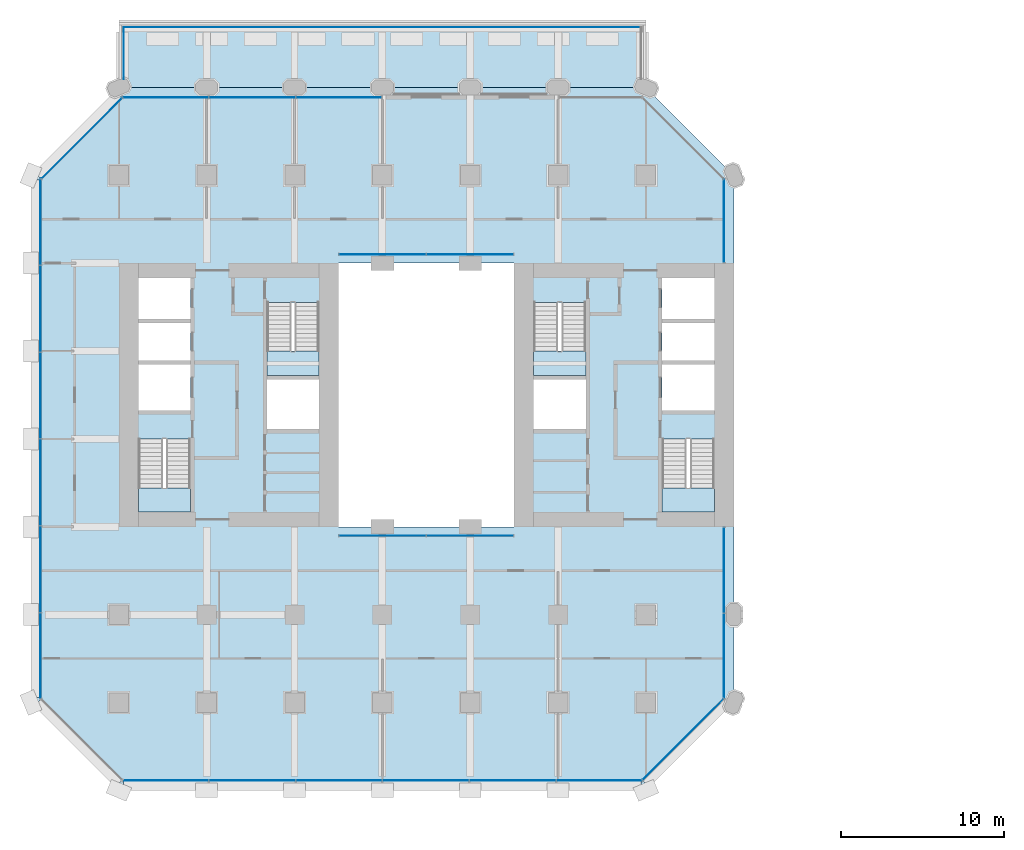
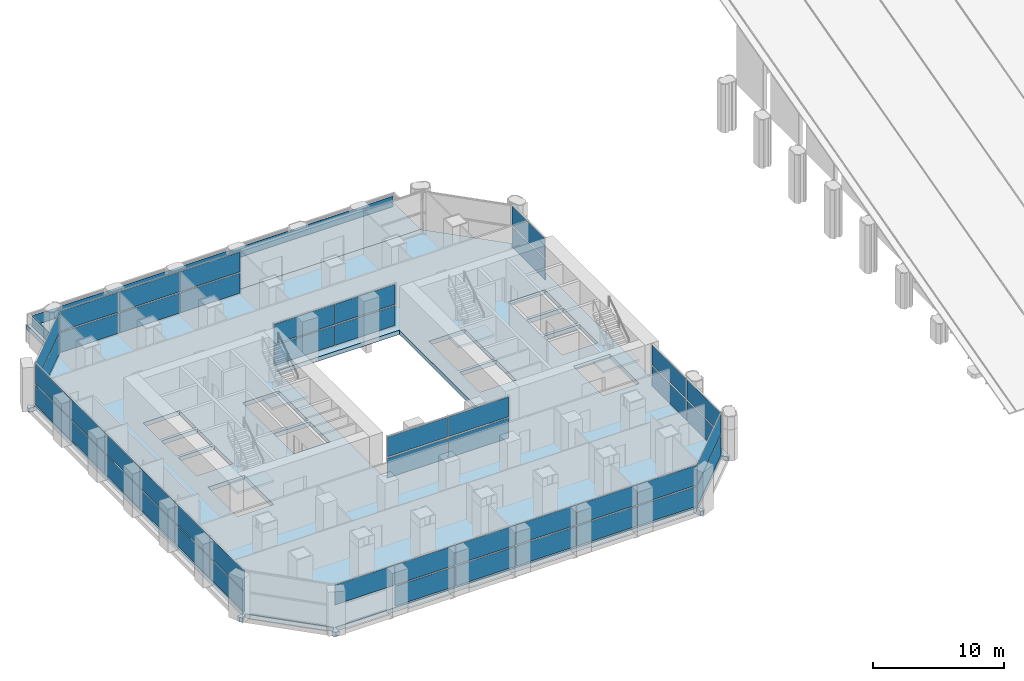
# One storey, part 11 of 23: 49 plates, 6 slabs, 13 elements without a shape of their own.
"""IFC4 building model written with IfcOpenShell, lengths in metres."""

from ifc_helpers import new_model, si_unit, direction, frame, frame_2d, origin, origin_2d, place, context, subcontext, project, spatial, polyline, rectangle, outline, extrude, material, layer, layer_set, type_object, element, aggregate, save


model = new_model("IFC4")

# Units and contexts
model_context = context("Model", 3, precision=1e-05, world=origin(), true_north=direction((0.0, 1.0)))
body_context = subcontext(model_context, "Body", "Model", "MODEL_VIEW")
ifc_project = project(units=[si_unit("LENGTHUNIT", "METRE"), si_unit("AREAUNIT", "SQUARE_METRE"), si_unit("VOLUMEUNIT", "CUBIC_METRE"), si_unit("PLANEANGLEUNIT", "RADIAN"), si_unit("MASSUNIT", "GRAM", prefix="KILO")], contexts=[model_context])

# Site, building, storey
site_placement = place(None, origin())
site = spatial("IfcSite", under=ifc_project, at=site_placement, CompositionType="ELEMENT")
building_placement = place(site_placement, origin())
building = spatial("IfcBuilding", under=site, at=building_placement, Name="Tabaq Tower and Sports Hall", CompositionType="ELEMENT")
storey_placement = place(building_placement, frame((0.0, 0.0, 24.60009765625)))
storey = spatial("IfcBuildingStorey", under=building, at=storey_placement, Name="L04", CompositionType="ELEMENT", Elevation=24.60009765625)

# Curtain wall, plates
ifc_material_1 = material(Name="Aluminium alloy 6063-T6 framed glazing", Category="aluminium")
curtain_wall_type_1 = type_object("IfcCurtainWallType", Name="CW1 curtain wall", PredefinedType="USERDEFINED", material=ifc_material_1)
curtain_wall_1_placement = place(storey_placement, origin())
curtain_wall_1 = element("IfcCurtainWall", 1, at=curtain_wall_1_placement, inside=storey, type_object=curtain_wall_type_1, Name="Atrium glazing L04 S", ObjectType="ATRIUM ENCLOSURE", PredefinedType="USERDEFINED")
ifc_material_2 = material(Name="Clear low-emissivity glass 28 mm", Category="glass")
ifc_layer_1 = layer(ifc_material_2, 0.028076171875)
ifc_layer_set_1 = layer_set([ifc_layer_1], Name="CW1 glass panel 28")
plate_type_1 = type_object("IfcPlateType", Name="CW1 glass panel 28", PredefinedType="CURTAIN_PANEL", material=ifc_layer_set_1)
plate_1_placement = place(storey_placement, frame((21.614990234375, 15.64990234375, 0.1396484375), z_axis=(0.0, 0.0, 1.0), x_axis=(1.0, 0.0, 0.0)))
plate_1 = element("IfcPlate", 2, at=plate_1_placement, type_object=plate_type_1, Name="CW1 panel 1.1", PredefinedType="CURTAIN_PANEL", context=body_context, shape_type="SweptSolid", body=[
    extrude(rectangle(XDim=5.31005859375, YDim=0.028076171875, at=origin_2d()), origin(), (0.0, 0.0, 1.0), 1.840087890625),
])
plate_2_placement = place(storey_placement, frame((21.614990234375, 15.64990234375, 2.11962890625), z_axis=(0.0, 0.0, 1.0), x_axis=(1.0, 0.0, 0.0)))
plate_2 = element("IfcPlate", 3, at=plate_2_placement, type_object=plate_type_1, Name="CW1 panel 1.2", PredefinedType="CURTAIN_PANEL", context=body_context, shape_type="SweptSolid", body=[
    extrude(rectangle(XDim=5.31005859375, YDim=0.028076171875, at=origin_2d()), origin(), (0.0, 0.0, 1.0), 1.840087890625),
])
plate_3_placement = place(storey_placement, frame((26.985107421875, 15.64990234375, 0.1396484375), z_axis=(0.0, 0.0, 1.0), x_axis=(1.0, 0.0, 0.0)))
plate_3 = element("IfcPlate", 4, at=plate_3_placement, type_object=plate_type_1, Name="CW1 panel 2.1", PredefinedType="CURTAIN_PANEL", context=body_context, shape_type="SweptSolid", body=[
    extrude(rectangle(XDim=5.31005859375, YDim=0.028076171875, at=origin_2d()), origin(), (0.0, 0.0, 1.0), 1.840087890625),
])
plate_4_placement = place(storey_placement, frame((26.985107421875, 15.64990234375, 2.11962890625), z_axis=(0.0, 0.0, 1.0), x_axis=(1.0, 0.0, 0.0)))
plate_4 = element("IfcPlate", 5, at=plate_4_placement, type_object=plate_type_1, Name="CW1 panel 2.2", PredefinedType="CURTAIN_PANEL", context=body_context, shape_type="SweptSolid", body=[
    extrude(rectangle(XDim=5.31005859375, YDim=0.028076171875, at=origin_2d()), origin(), (0.0, 0.0, 1.0), 1.840087890625),
])
aggregate(curtain_wall_1, [plate_1, plate_2, plate_3, plate_4])

curtain_wall_2_placement = place(storey_placement, origin())
curtain_wall_2 = element("IfcCurtainWall", 6, at=curtain_wall_2_placement, inside=storey, type_object=curtain_wall_type_1, Name="Atrium glazing L04 N", ObjectType="ATRIUM ENCLOSURE", PredefinedType="USERDEFINED")
plate_5_placement = place(storey_placement, frame((21.614990234375, 32.949951171875, 0.1396484375), z_axis=(0.0, 0.0, 1.0), x_axis=(1.0, 0.0, 0.0)))
plate_5 = element("IfcPlate", 7, at=plate_5_placement, type_object=plate_type_1, Name="CW1 panel 1.1", PredefinedType="CURTAIN_PANEL", context=body_context, shape_type="SweptSolid", body=[
    extrude(rectangle(XDim=5.31005859375, YDim=0.028076171875, at=origin_2d()), origin(), (0.0, 0.0, 1.0), 1.840087890625),
])
plate_6_placement = place(storey_placement, frame((21.614990234375, 32.949951171875, 2.11962890625), z_axis=(0.0, 0.0, 1.0), x_axis=(1.0, 0.0, 0.0)))
plate_6 = element("IfcPlate", 8, at=plate_6_placement, type_object=plate_type_1, Name="CW1 panel 1.2", PredefinedType="CURTAIN_PANEL", context=body_context, shape_type="SweptSolid", body=[
    extrude(rectangle(XDim=5.31005859375, YDim=0.028076171875, at=origin_2d()), origin(), (0.0, 0.0, 1.0), 1.840087890625),
])
plate_7_placement = place(storey_placement, frame((26.985107421875, 32.949951171875, 0.1396484375), z_axis=(0.0, 0.0, 1.0), x_axis=(1.0, 0.0, 0.0)))
plate_7 = element("IfcPlate", 9, at=plate_7_placement, type_object=plate_type_1, Name="CW1 panel 2.1", PredefinedType="CURTAIN_PANEL", context=body_context, shape_type="SweptSolid", body=[
    extrude(rectangle(XDim=5.31005859375, YDim=0.028076171875, at=origin_2d()), origin(), (0.0, 0.0, 1.0), 1.840087890625),
])
plate_8_placement = place(storey_placement, frame((26.985107421875, 32.949951171875, 2.11962890625), z_axis=(0.0, 0.0, 1.0), x_axis=(1.0, 0.0, 0.0)))
plate_8 = element("IfcPlate", 10, at=plate_8_placement, type_object=plate_type_1, Name="CW1 panel 2.2", PredefinedType="CURTAIN_PANEL", context=body_context, shape_type="SweptSolid", body=[
    extrude(rectangle(XDim=5.31005859375, YDim=0.028076171875, at=origin_2d()), origin(), (0.0, 0.0, 1.0), 1.840087890625),
])
aggregate(curtain_wall_2, [plate_5, plate_6, plate_7, plate_8])

ifc_material_3 = material(Name="Aluminium alloy 6063-T6 framed glazing", Category="aluminium")
curtain_wall_type_2 = type_object("IfcCurtainWallType", Name="CW7 curtain wall", PredefinedType="USERDEFINED", material=ifc_material_3)
curtain_wall_3_placement = place(storey_placement, origin())
curtain_wall_3 = element("IfcCurtainWall", 11, at=curtain_wall_3_placement, inside=storey, type_object=curtain_wall_type_2, Name="Podium Wall L04 S", ObjectType="PODIUM WALL", PredefinedType="USERDEFINED")
ifc_material_4 = material(Name="Clear low-emissivity glass 28 mm", Category="glass")
ifc_layer_2 = layer(ifc_material_4, 0.030029296875)
ifc_layer_set_2 = layer_set([ifc_layer_2], Name="CW7 glass panel 30")
plate_type_2 = type_object("IfcPlateType", Name="CW7 glass panel 30", PredefinedType="CURTAIN_PANEL", material=ifc_layer_set_2)
plate_9_placement = place(storey_placement, frame((8.271484375, 0.60009765625, 2.11962890625), z_axis=(0.0, 0.0, 1.0), x_axis=(1.0, 0.0, 0.0)))
plate_9 = element("IfcPlate", 12, at=plate_9_placement, type_object=plate_type_2, Name="CW7 panel 1.2", PredefinedType="CURTAIN_PANEL", context=body_context, shape_type="SweptSolid", body=[
    extrude(rectangle(XDim=5.240478515625, YDim=0.030029296875, at=origin_2d()), origin(), (0.0, 0.0, 1.0), 1.840087890625),
])
plate_10_placement = place(storey_placement, frame((13.59326171875, 0.60009765625, 0.1396484375), z_axis=(0.0, 0.0, 1.0), x_axis=(1.0, 0.0, 0.0)))
plate_10 = element("IfcPlate", 13, at=plate_10_placement, type_object=plate_type_2, Name="CW7 panel 2.1", PredefinedType="CURTAIN_PANEL", context=body_context, shape_type="SweptSolid", body=[
    extrude(rectangle(XDim=5.27294921875, YDim=0.030029296875, at=origin_2d()), origin(), (0.0, 0.0, 1.0), 1.840087890625),
])
plate_11_placement = place(storey_placement, frame((13.59326171875, 0.60009765625, 2.11962890625), z_axis=(0.0, 0.0, 1.0), x_axis=(1.0, 0.0, 0.0)))
plate_11 = element("IfcPlate", 14, at=plate_11_placement, type_object=plate_type_2, Name="CW7 panel 2.2", PredefinedType="CURTAIN_PANEL", context=body_context, shape_type="SweptSolid", body=[
    extrude(rectangle(XDim=5.27294921875, YDim=0.030029296875, at=origin_2d()), origin(), (0.0, 0.0, 1.0), 1.840087890625),
])
plate_12_placement = place(storey_placement, frame((18.93115234375, 0.60009765625, 0.1396484375), z_axis=(0.0, 0.0, 1.0), x_axis=(1.0, 0.0, 0.0)))
plate_12 = element("IfcPlate", 15, at=plate_12_placement, type_object=plate_type_2, Name="CW7 panel 3.1", PredefinedType="CURTAIN_PANEL", context=body_context, shape_type="SweptSolid", body=[
    extrude(rectangle(XDim=5.27294921875, YDim=0.030029296875, at=origin_2d()), origin(), (0.0, 0.0, 1.0), 1.840087890625),
])
plate_13_placement = place(storey_placement, frame((18.93115234375, 0.60009765625, 2.11962890625), z_axis=(0.0, 0.0, 1.0), x_axis=(1.0, 0.0, 0.0)))
plate_13 = element("IfcPlate", 16, at=plate_13_placement, type_object=plate_type_2, Name="CW7 panel 3.2", PredefinedType="CURTAIN_PANEL", context=body_context, shape_type="SweptSolid", body=[
    extrude(rectangle(XDim=5.27294921875, YDim=0.030029296875, at=origin_2d()), origin(), (0.0, 0.0, 1.0), 1.840087890625),
])
plate_14_placement = place(storey_placement, frame((24.26904296875, 0.60009765625, 0.1396484375), z_axis=(0.0, 0.0, 1.0), x_axis=(1.0, 0.0, 0.0)))
plate_14 = element("IfcPlate", 17, at=plate_14_placement, type_object=plate_type_2, Name="CW7 panel 4.1", PredefinedType="CURTAIN_PANEL", context=body_context, shape_type="SweptSolid", body=[
    extrude(rectangle(XDim=5.27294921875, YDim=0.030029296875, at=origin_2d()), origin(), (0.0, 0.0, 1.0), 1.840087890625),
])
plate_15_placement = place(storey_placement, frame((24.26904296875, 0.60009765625, 2.11962890625), z_axis=(0.0, 0.0, 1.0), x_axis=(1.0, 0.0, 0.0)))
plate_15 = element("IfcPlate", 18, at=plate_15_placement, type_object=plate_type_2, Name="CW7 panel 4.2", PredefinedType="CURTAIN_PANEL", context=body_context, shape_type="SweptSolid", body=[
    extrude(rectangle(XDim=5.27294921875, YDim=0.030029296875, at=origin_2d()), origin(), (0.0, 0.0, 1.0), 1.840087890625),
])
plate_16_placement = place(storey_placement, frame((29.606689453125, 0.60009765625, 0.1396484375), z_axis=(0.0, 0.0, 1.0), x_axis=(1.0, 0.0, 0.0)))
plate_16 = element("IfcPlate", 19, at=plate_16_placement, type_object=plate_type_2, Name="CW7 panel 5.1", PredefinedType="CURTAIN_PANEL", context=body_context, shape_type="SweptSolid", body=[
    extrude(rectangle(XDim=5.27294921875, YDim=0.030029296875, at=origin_2d()), origin(), (0.0, 0.0, 1.0), 1.840087890625),
])
plate_17_placement = place(storey_placement, frame((29.606689453125, 0.60009765625, 2.11962890625), z_axis=(0.0, 0.0, 1.0), x_axis=(1.0, 0.0, 0.0)))
plate_17 = element("IfcPlate", 20, at=plate_17_placement, type_object=plate_type_2, Name="CW7 panel 5.2", PredefinedType="CURTAIN_PANEL", context=body_context, shape_type="SweptSolid", body=[
    extrude(rectangle(XDim=5.27294921875, YDim=0.030029296875, at=origin_2d()), origin(), (0.0, 0.0, 1.0), 1.840087890625),
])
plate_18_placement = place(storey_placement, frame((34.928466796875, 0.60009765625, 0.1396484375), z_axis=(0.0, 0.0, 1.0), x_axis=(1.0, 0.0, 0.0)))
plate_18 = element("IfcPlate", 21, at=plate_18_placement, type_object=plate_type_2, Name="CW7 panel 6.1", PredefinedType="CURTAIN_PANEL", context=body_context, shape_type="SweptSolid", body=[
    extrude(rectangle(XDim=5.240478515625, YDim=0.030029296875, at=origin_2d()), origin(), (0.0, 0.0, 1.0), 1.840087890625),
])
plate_19_placement = place(storey_placement, frame((34.928466796875, 0.60009765625, 2.11962890625), z_axis=(0.0, 0.0, 1.0), x_axis=(1.0, 0.0, 0.0)))
plate_19 = element("IfcPlate", 22, at=plate_19_placement, type_object=plate_type_2, Name="CW7 panel 6.2", PredefinedType="CURTAIN_PANEL", context=body_context, shape_type="SweptSolid", body=[
    extrude(rectangle(XDim=5.240478515625, YDim=0.030029296875, at=origin_2d()), origin(), (0.0, 0.0, 1.0), 1.840087890625),
])
aggregate(curtain_wall_3, [plate_9, plate_10, plate_11, plate_12, plate_13, plate_14, plate_15, plate_16, plate_17, plate_18, plate_19])

curtain_wall_4_placement = place(storey_placement, origin())
curtain_wall_4 = element("IfcCurtainWall", 23, at=curtain_wall_4_placement, inside=storey, type_object=curtain_wall_type_2, Name="Podium Wall L04 SE", ObjectType="PODIUM WALL", PredefinedType="USERDEFINED")
plate_20_placement = place(storey_placement, frame((40.07568359375, 3.124267578125, 0.1396484375), z_axis=(0.0, 0.0, 1.0), x_axis=(0.707106781187, 0.707106781187, 0.0)))
plate_20 = element("IfcPlate", 24, at=plate_20_placement, type_object=plate_type_2, Name="CW7 panel 1.1", PredefinedType="CURTAIN_PANEL", context=body_context, shape_type="SweptSolid", body=[
    extrude(rectangle(XDim=7.009765625, YDim=0.030029296875, at=origin_2d()), origin(), (0.0, 0.0, 1.0), 1.840087890625),
])
plate_21_placement = place(storey_placement, frame((40.07568359375, 3.124267578125, 2.11962890625), z_axis=(0.0, 0.0, 1.0), x_axis=(0.707106781187, 0.707106781187, 0.0)))
plate_21 = element("IfcPlate", 25, at=plate_21_placement, type_object=plate_type_2, Name="CW7 panel 1.2", PredefinedType="CURTAIN_PANEL", context=body_context, shape_type="SweptSolid", body=[
    extrude(rectangle(XDim=7.009765625, YDim=0.030029296875, at=origin_2d()), origin(), (0.0, 0.0, 1.0), 1.840087890625),
])
aggregate(curtain_wall_4, [plate_20, plate_21])

curtain_wall_5_placement = place(storey_placement, origin())
curtain_wall_5 = element("IfcCurtainWall", 26, at=curtain_wall_5_placement, inside=storey, type_object=curtain_wall_type_2, Name="Podium Wall L04 E", ObjectType="PODIUM WALL", PredefinedType="USERDEFINED")
plate_22_placement = place(storey_placement, frame((42.60009765625, 8.256103515625, 0.1396484375), z_axis=(0.0, 0.0, 1.0), x_axis=(0.0, 1.0, 0.0)))
plate_22 = element("IfcPlate", 27, at=plate_22_placement, type_object=plate_type_2, Name="CW7 panel 1.1", PredefinedType="CURTAIN_PANEL", context=body_context, shape_type="SweptSolid", body=[
    extrude(rectangle(XDim=5.209228515625, YDim=0.030029296875, at=origin_2d()), origin(), (0.0, 0.0, 1.0), 1.840087890625),
])
plate_23_placement = place(storey_placement, frame((42.60009765625, 8.256103515625, 2.11962890625), z_axis=(0.0, 0.0, 1.0), x_axis=(0.0, 1.0, 0.0)))
plate_23 = element("IfcPlate", 28, at=plate_23_placement, type_object=plate_type_2, Name="CW7 panel 1.2", PredefinedType="CURTAIN_PANEL", context=body_context, shape_type="SweptSolid", body=[
    extrude(rectangle(XDim=5.209228515625, YDim=0.030029296875, at=origin_2d()), origin(), (0.0, 0.0, 1.0), 1.840087890625),
])
plate_24_placement = place(storey_placement, frame((42.60009765625, 13.5302734375, 0.1396484375), z_axis=(0.0, 0.0, 1.0), x_axis=(0.0, 1.0, 0.0)))
plate_24 = element("IfcPlate", 29, at=plate_24_placement, type_object=plate_type_2, Name="CW7 panel 2.1", PredefinedType="CURTAIN_PANEL", context=body_context, shape_type="SweptSolid", body=[
    extrude(rectangle(XDim=5.209228515625, YDim=0.030029296875, at=origin_2d()), origin(), (0.0, 0.0, 1.0), 1.840087890625),
])
plate_25_placement = place(storey_placement, frame((42.60009765625, 13.5302734375, 2.11962890625), z_axis=(0.0, 0.0, 1.0), x_axis=(0.0, 1.0, 0.0)))
plate_25 = element("IfcPlate", 30, at=plate_25_placement, type_object=plate_type_2, Name="CW7 panel 2.2", PredefinedType="CURTAIN_PANEL", context=body_context, shape_type="SweptSolid", body=[
    extrude(rectangle(XDim=5.209228515625, YDim=0.030029296875, at=origin_2d()), origin(), (0.0, 0.0, 1.0), 1.840087890625),
])
aggregate(curtain_wall_5, [plate_22, plate_23, plate_24, plate_25])

curtain_wall_6_placement = place(storey_placement, origin())
curtain_wall_6 = element("IfcCurtainWall", 31, at=curtain_wall_6_placement, inside=storey, type_object=curtain_wall_type_2, Name="Podium Wall L04 E", ObjectType="PODIUM WALL", PredefinedType="USERDEFINED")
plate_26_placement = place(storey_placement, frame((42.60009765625, 35.0068359375, 0.1396484375), z_axis=(0.0, 0.0, 1.0), x_axis=(0.0, 1.0, 0.0)))
plate_26 = element("IfcPlate", 32, at=plate_26_placement, type_object=plate_type_2, Name="CW7 panel 1.1", PredefinedType="CURTAIN_PANEL", context=body_context, shape_type="SweptSolid", body=[
    extrude(rectangle(XDim=5.08349609375, YDim=0.030029296875, at=origin_2d()), origin(), (0.0, 0.0, 1.0), 1.840087890625),
])
plate_27_placement = place(storey_placement, frame((42.60009765625, 35.0068359375, 2.11962890625), z_axis=(0.0, 0.0, 1.0), x_axis=(0.0, 1.0, 0.0)))
plate_27 = element("IfcPlate", 33, at=plate_27_placement, type_object=plate_type_2, Name="CW7 panel 1.2", PredefinedType="CURTAIN_PANEL", context=body_context, shape_type="SweptSolid", body=[
    extrude(rectangle(XDim=5.08349609375, YDim=0.030029296875, at=origin_2d()), origin(), (0.0, 0.0, 1.0), 1.840087890625),
])
aggregate(curtain_wall_6, [plate_26, plate_27])

curtain_wall_7_placement = place(storey_placement, origin())
curtain_wall_7 = element("IfcCurtainWall", 34, at=curtain_wall_7_placement, inside=storey, type_object=curtain_wall_type_2, Name="Podium Wall L04 N", ObjectType="PODIUM WALL", PredefinedType="USERDEFINED")
plate_28_placement = place(storey_placement, frame((18.914794921875, 42.60009765625, 0.1396484375), z_axis=(0.0, 0.0, 1.0), x_axis=(-1.0, 0.0, 0.0)))
plate_28 = element("IfcPlate", 35, at=plate_28_placement, type_object=plate_type_2, Name="CW7 panel 1.1", PredefinedType="CURTAIN_PANEL", context=body_context, shape_type="SweptSolid", body=[
    extrude(rectangle(XDim=5.240478515625, YDim=0.030029296875, at=origin_2d()), origin(), (0.0, 0.0, 1.0), 1.840087890625),
])
plate_29_placement = place(storey_placement, frame((18.914794921875, 42.60009765625, 2.11962890625), z_axis=(0.0, 0.0, 1.0), x_axis=(-1.0, 0.0, 0.0)))
plate_29 = element("IfcPlate", 36, at=plate_29_placement, type_object=plate_type_2, Name="CW7 panel 1.2", PredefinedType="CURTAIN_PANEL", context=body_context, shape_type="SweptSolid", body=[
    extrude(rectangle(XDim=5.240478515625, YDim=0.030029296875, at=origin_2d()), origin(), (0.0, 0.0, 1.0), 1.840087890625),
])
plate_30_placement = place(storey_placement, frame((13.59326171875, 42.60009765625, 0.1396484375), z_axis=(0.0, 0.0, 1.0), x_axis=(-1.0, 0.0, 0.0)))
plate_30 = element("IfcPlate", 37, at=plate_30_placement, type_object=plate_type_2, Name="CW7 panel 2.1", PredefinedType="CURTAIN_PANEL", context=body_context, shape_type="SweptSolid", body=[
    extrude(rectangle(XDim=5.27294921875, YDim=0.030029296875, at=origin_2d()), origin(), (0.0, 0.0, 1.0), 1.840087890625),
])
plate_31_placement = place(storey_placement, frame((13.59326171875, 42.60009765625, 2.11962890625), z_axis=(0.0, 0.0, 1.0), x_axis=(-1.0, 0.0, 0.0)))
plate_31 = element("IfcPlate", 38, at=plate_31_placement, type_object=plate_type_2, Name="CW7 panel 2.2", PredefinedType="CURTAIN_PANEL", context=body_context, shape_type="SweptSolid", body=[
    extrude(rectangle(XDim=5.27294921875, YDim=0.030029296875, at=origin_2d()), origin(), (0.0, 0.0, 1.0), 1.840087890625),
])
plate_32_placement = place(storey_placement, frame((8.271484375, 42.60009765625, 0.1396484375), z_axis=(0.0, 0.0, 1.0), x_axis=(-1.0, 0.0, 0.0)))
plate_32 = element("IfcPlate", 39, at=plate_32_placement, type_object=plate_type_2, Name="CW7 panel 3.1", PredefinedType="CURTAIN_PANEL", context=body_context, shape_type="SweptSolid", body=[
    extrude(rectangle(XDim=5.240478515625, YDim=0.030029296875, at=origin_2d()), origin(), (0.0, 0.0, 1.0), 1.840087890625),
])
plate_33_placement = place(storey_placement, frame((8.271484375, 42.60009765625, 2.11962890625), z_axis=(0.0, 0.0, 1.0), x_axis=(-1.0, 0.0, 0.0)))
plate_33 = element("IfcPlate", 40, at=plate_33_placement, type_object=plate_type_2, Name="CW7 panel 3.2", PredefinedType="CURTAIN_PANEL", context=body_context, shape_type="SweptSolid", body=[
    extrude(rectangle(XDim=5.240478515625, YDim=0.030029296875, at=origin_2d()), origin(), (0.0, 0.0, 1.0), 1.840087890625),
])
aggregate(curtain_wall_7, [plate_28, plate_29, plate_30, plate_31, plate_32, plate_33])

curtain_wall_8_placement = place(storey_placement, origin())
curtain_wall_8 = element("IfcCurtainWall", 41, at=curtain_wall_8_placement, inside=storey, type_object=curtain_wall_type_2, Name="Podium Wall L04 NW", ObjectType="PODIUM WALL", PredefinedType="USERDEFINED")
plate_34_placement = place(storey_placement, frame((3.124267578125, 40.07568359375, 0.1396484375), z_axis=(0.0, 0.0, 1.0), x_axis=(-0.707106781187, -0.707106781187, 0.0)))
plate_34 = element("IfcPlate", 42, at=plate_34_placement, type_object=plate_type_2, Name="CW7 panel 1.1", PredefinedType="CURTAIN_PANEL", context=body_context, shape_type="SweptSolid", body=[
    extrude(rectangle(XDim=7.009765625, YDim=0.030029296875, at=origin_2d()), origin(), (0.0, 0.0, 1.0), 1.840087890625),
])
plate_35_placement = place(storey_placement, frame((3.124267578125, 40.07568359375, 2.11962890625), z_axis=(0.0, 0.0, 1.0), x_axis=(-0.707106781187, -0.707106781187, 0.0)))
plate_35 = element("IfcPlate", 43, at=plate_35_placement, type_object=plate_type_2, Name="CW7 panel 1.2", PredefinedType="CURTAIN_PANEL", context=body_context, shape_type="SweptSolid", body=[
    extrude(rectangle(XDim=7.009765625, YDim=0.030029296875, at=origin_2d()), origin(), (0.0, 0.0, 1.0), 1.840087890625),
])
aggregate(curtain_wall_8, [plate_34, plate_35])

curtain_wall_9_placement = place(storey_placement, origin())
curtain_wall_9 = element("IfcCurtainWall", 44, at=curtain_wall_9_placement, inside=storey, type_object=curtain_wall_type_2, Name="Podium Wall L04 W", ObjectType="PODIUM WALL", PredefinedType="USERDEFINED")
plate_36_placement = place(storey_placement, frame((0.60009765625, 34.928466796875, 0.1396484375), z_axis=(0.0, 0.0, 1.0), x_axis=(0.0, -1.0, 0.0)))
plate_36 = element("IfcPlate", 45, at=plate_36_placement, type_object=plate_type_2, Name="CW7 panel 1.1", PredefinedType="CURTAIN_PANEL", context=body_context, shape_type="SweptSolid", body=[
    extrude(rectangle(XDim=5.240478515625, YDim=0.030029296875, at=origin_2d()), origin(), (0.0, 0.0, 1.0), 1.840087890625),
])
plate_37_placement = place(storey_placement, frame((0.60009765625, 34.928466796875, 2.11962890625), z_axis=(0.0, 0.0, 1.0), x_axis=(0.0, -1.0, 0.0)))
plate_37 = element("IfcPlate", 46, at=plate_37_placement, type_object=plate_type_2, Name="CW7 panel 1.2", PredefinedType="CURTAIN_PANEL", context=body_context, shape_type="SweptSolid", body=[
    extrude(rectangle(XDim=5.240478515625, YDim=0.030029296875, at=origin_2d()), origin(), (0.0, 0.0, 1.0), 1.840087890625),
])
plate_38_placement = place(storey_placement, frame((0.60009765625, 29.606689453125, 0.1396484375), z_axis=(0.0, 0.0, 1.0), x_axis=(0.0, -1.0, 0.0)))
plate_38 = element("IfcPlate", 47, at=plate_38_placement, type_object=plate_type_2, Name="CW7 panel 2.1", PredefinedType="CURTAIN_PANEL", context=body_context, shape_type="SweptSolid", body=[
    extrude(rectangle(XDim=5.27294921875, YDim=0.030029296875, at=origin_2d()), origin(), (0.0, 0.0, 1.0), 1.840087890625),
])
plate_39_placement = place(storey_placement, frame((0.60009765625, 29.606689453125, 2.11962890625), z_axis=(0.0, 0.0, 1.0), x_axis=(0.0, -1.0, 0.0)))
plate_39 = element("IfcPlate", 48, at=plate_39_placement, type_object=plate_type_2, Name="CW7 panel 2.2", PredefinedType="CURTAIN_PANEL", context=body_context, shape_type="SweptSolid", body=[
    extrude(rectangle(XDim=5.27294921875, YDim=0.030029296875, at=origin_2d()), origin(), (0.0, 0.0, 1.0), 1.840087890625),
])
plate_40_placement = place(storey_placement, frame((0.60009765625, 24.26904296875, 0.1396484375), z_axis=(0.0, 0.0, 1.0), x_axis=(0.0, -1.0, 0.0)))
plate_40 = element("IfcPlate", 49, at=plate_40_placement, type_object=plate_type_2, Name="CW7 panel 3.1", PredefinedType="CURTAIN_PANEL", context=body_context, shape_type="SweptSolid", body=[
    extrude(rectangle(XDim=5.27294921875, YDim=0.030029296875, at=origin_2d()), origin(), (0.0, 0.0, 1.0), 1.840087890625),
])
plate_41_placement = place(storey_placement, frame((0.60009765625, 24.26904296875, 2.11962890625), z_axis=(0.0, 0.0, 1.0), x_axis=(0.0, -1.0, 0.0)))
plate_41 = element("IfcPlate", 50, at=plate_41_placement, type_object=plate_type_2, Name="CW7 panel 3.2", PredefinedType="CURTAIN_PANEL", context=body_context, shape_type="SweptSolid", body=[
    extrude(rectangle(XDim=5.27294921875, YDim=0.030029296875, at=origin_2d()), origin(), (0.0, 0.0, 1.0), 1.840087890625),
])
plate_42_placement = place(storey_placement, frame((0.60009765625, 18.93115234375, 0.1396484375), z_axis=(0.0, 0.0, 1.0), x_axis=(0.0, -1.0, 0.0)))
plate_42 = element("IfcPlate", 51, at=plate_42_placement, type_object=plate_type_2, Name="CW7 panel 4.1", PredefinedType="CURTAIN_PANEL", context=body_context, shape_type="SweptSolid", body=[
    extrude(rectangle(XDim=5.27294921875, YDim=0.030029296875, at=origin_2d()), origin(), (0.0, 0.0, 1.0), 1.840087890625),
])
plate_43_placement = place(storey_placement, frame((0.60009765625, 18.93115234375, 2.11962890625), z_axis=(0.0, 0.0, 1.0), x_axis=(0.0, -1.0, 0.0)))
plate_43 = element("IfcPlate", 52, at=plate_43_placement, type_object=plate_type_2, Name="CW7 panel 4.2", PredefinedType="CURTAIN_PANEL", context=body_context, shape_type="SweptSolid", body=[
    extrude(rectangle(XDim=5.27294921875, YDim=0.030029296875, at=origin_2d()), origin(), (0.0, 0.0, 1.0), 1.840087890625),
])
plate_44_placement = place(storey_placement, frame((0.60009765625, 13.59326171875, 0.1396484375), z_axis=(0.0, 0.0, 1.0), x_axis=(0.0, -1.0, 0.0)))
plate_44 = element("IfcPlate", 53, at=plate_44_placement, type_object=plate_type_2, Name="CW7 panel 5.1", PredefinedType="CURTAIN_PANEL", context=body_context, shape_type="SweptSolid", body=[
    extrude(rectangle(XDim=5.27294921875, YDim=0.030029296875, at=origin_2d()), origin(), (0.0, 0.0, 1.0), 1.840087890625),
])
plate_45_placement = place(storey_placement, frame((0.60009765625, 13.59326171875, 2.11962890625), z_axis=(0.0, 0.0, 1.0), x_axis=(0.0, -1.0, 0.0)))
plate_45 = element("IfcPlate", 54, at=plate_45_placement, type_object=plate_type_2, Name="CW7 panel 5.2", PredefinedType="CURTAIN_PANEL", context=body_context, shape_type="SweptSolid", body=[
    extrude(rectangle(XDim=5.27294921875, YDim=0.030029296875, at=origin_2d()), origin(), (0.0, 0.0, 1.0), 1.840087890625),
])
plate_46_placement = place(storey_placement, frame((0.60009765625, 8.271484375, 0.1396484375), z_axis=(0.0, 0.0, 1.0), x_axis=(0.0, -1.0, 0.0)))
plate_46 = element("IfcPlate", 55, at=plate_46_placement, type_object=plate_type_2, Name="CW7 panel 6.1", PredefinedType="CURTAIN_PANEL", context=body_context, shape_type="SweptSolid", body=[
    extrude(rectangle(XDim=5.240478515625, YDim=0.030029296875, at=origin_2d()), origin(), (0.0, 0.0, 1.0), 1.840087890625),
])
plate_47_placement = place(storey_placement, frame((0.60009765625, 8.271484375, 2.11962890625), z_axis=(0.0, 0.0, 1.0), x_axis=(0.0, -1.0, 0.0)))
plate_47 = element("IfcPlate", 56, at=plate_47_placement, type_object=plate_type_2, Name="CW7 panel 6.2", PredefinedType="CURTAIN_PANEL", context=body_context, shape_type="SweptSolid", body=[
    extrude(rectangle(XDim=5.240478515625, YDim=0.030029296875, at=origin_2d()), origin(), (0.0, 0.0, 1.0), 1.840087890625),
])
aggregate(curtain_wall_9, [plate_36, plate_37, plate_38, plate_39, plate_40, plate_41, plate_42, plate_43, plate_44, plate_45, plate_46, plate_47])

# Slab
ifc_material_5 = material(Name="Concrete C40/50", Category="concrete")
ifc_layer_3 = layer(ifc_material_5, 0.39990234375)
ifc_layer_set_3 = layer_set([ifc_layer_3], Name="Concrete C40/50 PT tray slab")
slab_type_1 = type_object("IfcSlabType", Name="Concrete C40/50 PT tray slab", PredefinedType="FLOOR", material=ifc_layer_set_3)
slab_1_placement = place(storey_placement, frame((0.0, 0.0, -0.400146484375)))
element("IfcSlab", 57, at=slab_1_placement, inside=storey, type_object=slab_type_1, Name="Tray slab L04", PredefinedType="FLOOR", context=body_context, shape_type="SweptSolid", body=[
    extrude(outline(polyline([(37.800048828125, 43.199951171875), (5.39990234375, 43.199951171875), (5.39990234375, 47.199951171875), (37.800048828125, 47.199951171875), (37.800048828125, 43.199951171875)])), origin(), (0.0, 0.0, 1.0), 0.400146484375),
])

# Stair, slab
ifc_material_6 = material(Name="Concrete C40/50", Category="concrete")
stair_type = type_object("IfcStairType", Name="Exit stair", PredefinedType="HALF_TURN_STAIR", material=ifc_material_6)
stair_1_placement = place(storey_placement, origin())
stair_1 = element("IfcStair", 58, at=stair_1_placement, inside=storey, type_object=stair_type, Name="L04 Exit stair ST1", PredefinedType="HALF_TURN_STAIR")
ifc_material_7 = material(Name="Concrete C40/50", Category="concrete")
ifc_layer_4 = layer(ifc_material_7, 0.199951171875)
ifc_layer_set_4 = layer_set([ifc_layer_4], Name="Exit stair landing")
slab_type_2 = type_object("IfcSlabType", Name="Exit stair landing", PredefinedType="LANDING", material=ifc_layer_set_4)
slab_2_placement = place(storey_placement, frame((0.0, 0.0, 2.0498046875)))
slab_2 = element("IfcSlab", 59, at=slab_2_placement, type_object=slab_type_2, Name="ST1 landing 1", PredefinedType="LANDING", context=body_context, shape_type="SweptSolid", body=[
    extrude(outline(polyline([(6.60009765625, 18.60009765625), (6.60009765625, 17.10009765625), (9.800048828125, 17.10009765625), (9.800048828125, 18.60009765625), (6.60009765625, 18.60009765625)])), origin(), (0.0, 0.0, 1.0), 0.2001953125),
])
aggregate(stair_1, [slab_2])

stair_2_placement = place(storey_placement, origin())
stair_2 = element("IfcStair", 60, at=stair_2_placement, inside=storey, type_object=stair_type, Name="L04 Exit stair ST2", PredefinedType="HALF_TURN_STAIR")
slab_3_placement = place(storey_placement, frame((0.0, 0.0, 2.0498046875)))
slab_3 = element("IfcSlab", 61, at=slab_3_placement, type_object=slab_type_2, Name="ST2 landing 1", PredefinedType="LANDING", context=body_context, shape_type="SweptSolid", body=[
    extrude(outline(polyline([(14.5, 27.0), (14.5, 25.5), (17.699951171875, 25.5), (17.699951171875, 27.0), (14.5, 27.0)])), origin(), (0.0, 0.0, 1.0), 0.2001953125),
])
aggregate(stair_2, [slab_3])

stair_3_placement = place(storey_placement, origin())
stair_3 = element("IfcStair", 62, at=stair_3_placement, inside=storey, type_object=stair_type, Name="L04 Exit stair ST3", PredefinedType="HALF_TURN_STAIR")
slab_4_placement = place(storey_placement, frame((0.0, 0.0, 2.0498046875)))
slab_4 = element("IfcSlab", 63, at=slab_4_placement, type_object=slab_type_2, Name="ST3 landing 1", PredefinedType="LANDING", context=body_context, shape_type="SweptSolid", body=[
    extrude(outline(polyline([(38.800048828125, 18.60009765625), (38.800048828125, 17.10009765625), (42.0, 17.10009765625), (42.0, 18.60009765625), (38.800048828125, 18.60009765625)])), origin(), (0.0, 0.0, 1.0), 0.2001953125),
])
aggregate(stair_3, [slab_4])

stair_4_placement = place(storey_placement, origin())
stair_4 = element("IfcStair", 64, at=stair_4_placement, inside=storey, type_object=stair_type, Name="L04 Exit stair ST4", PredefinedType="HALF_TURN_STAIR")
slab_5_placement = place(storey_placement, frame((0.0, 0.0, 2.0498046875)))
slab_5 = element("IfcSlab", 65, at=slab_5_placement, type_object=slab_type_2, Name="ST4 landing 1", PredefinedType="LANDING", context=body_context, shape_type="SweptSolid", body=[
    extrude(outline(polyline([(30.89990234375, 27.0), (30.89990234375, 25.5), (34.10009765625, 25.5), (34.10009765625, 27.0), (30.89990234375, 27.0)])), origin(), (0.0, 0.0, 1.0), 0.2001953125),
])
aggregate(stair_4, [slab_5])

# Plates
ifc_material_8 = material(Name="Clear low-emissivity glass 28 mm", Category="glass")
ifc_layer_5 = layer(ifc_material_8, 0.02001953125)
ifc_layer_set_5 = layer_set([ifc_layer_5], Name="Laminated glass tray guard panel 20")
plate_type_3 = type_object("IfcPlateType", Name="Laminated glass tray guard panel 20", PredefinedType="USERDEFINED", material=ifc_layer_set_5)
plate_48_placement = place(storey_placement, frame((37.5, 46.89990234375, 0.0), z_axis=(0.0, 0.0, 1.0), x_axis=(-1.0, 0.0, 0.0)))
element("IfcPlate", 66, at=plate_48_placement, inside=storey, type_object=plate_type_3, Name="Tray guard glass L04", ObjectType="GUARD GLASS", PredefinedType="USERDEFINED", context=body_context, shape_type="SweptSolid", body=[
    extrude(rectangle(XDim=31.800048828125, YDim=0.02001953125, at=frame_2d((15.89990234375, 0.0))), origin(), (0.0, 0.0, 1.0), 0.949951171875),
])
plate_49_placement = place(storey_placement, frame((5.699951171875, 46.89990234375, 0.0), z_axis=(0.0, 0.0, 1.0), x_axis=(0.0, -1.0, 0.0)))
element("IfcPlate", 67, at=plate_49_placement, inside=storey, type_object=plate_type_3, Name="Tray guard glass L04", ObjectType="GUARD GLASS", PredefinedType="USERDEFINED", context=body_context, shape_type="SweptSolid", body=[
    extrude(rectangle(XDim=3.199951171875, YDim=0.02001953125, at=frame_2d((1.60009765625, 0.0))), origin(), (0.0, 0.0, 1.0), 0.949951171875),
])

# Slab
ifc_material_9 = material(Name="Concrete C40/50", Category="concrete")
ifc_layer_6 = layer(ifc_material_9, 0.39990234375)
ifc_layer_set_6 = layer_set([ifc_layer_6], Name="PT FLOOR SLAB 400 C40/50")
slab_type_3 = type_object("IfcSlabType", Name="PT FLOOR SLAB 400 C40/50", PredefinedType="FLOOR", material=ifc_layer_set_6)
slab_6_placement = place(storey_placement, frame((0.0, 0.0, -0.400146484375)))
element("IfcSlab", 68, at=slab_6_placement, inside=storey, type_object=slab_type_3, Name="Floor Slab L04", PredefinedType="FLOOR", context=body_context, shape_type="SweptSolid", body=[
    extrude(outline(polyline([(0.0, 5.698486328125), (0.0, 5.39990234375), (0.211181640625, 5.18896484375), (0.63525390625, 5.61328125), (5.61328125, 0.63525390625), (5.18896484375, 0.211181640625), (5.39990234375, 0.0), (5.698486328125, 0.0), (5.698486328125, 0.5), (5.698486328125, 0.60009765625), (37.50146484375, 0.60009765625), (37.50146484375, 0.5), (37.50146484375, 0.0), (37.800048828125, 0.0), (38.010986328125, 0.211181640625), (37.5869140625, 0.63525390625), (42.598876953125, 5.6474609375), (42.669677734375, 5.57666015625), (43.023193359375, 5.22314453125), (43.199951171875, 5.39990234375), (43.199951171875, 37.800048828125), (37.800048828125, 43.199951171875), (5.39990234375, 43.199951171875), (5.22314453125, 43.023193359375), (5.57666015625, 42.669677734375), (5.6474609375, 42.598876953125), (0.63525390625, 37.5869140625), (0.211181640625, 38.010986328125), (0.0, 37.800048828125), (0.0, 37.50146484375), (0.5, 37.50146484375), (0.60009765625, 37.50146484375), (0.60009765625, 5.698486328125), (0.5, 5.698486328125), (0.0, 5.698486328125)]), holes=[polyline([(6.60009765625, 21.599365234375), (9.800048828125, 21.599365234375), (9.800048828125, 17.10009765625), (6.60009765625, 17.10009765625), (6.60009765625, 21.599365234375)]), polyline([(17.699951171875, 25.25), (17.699951171875, 22.199951171875), (14.5, 22.199951171875), (14.5, 25.25), (17.699951171875, 25.25)]), polyline([(18.89990234375, 32.39990234375), (29.699951171875, 32.39990234375), (29.699951171875, 16.199951171875), (18.89990234375, 16.199951171875), (18.89990234375, 32.39990234375)]), polyline([(6.60009765625, 26.175048828125), (9.800048828125, 26.175048828125), (9.800048828125, 23.35009765625), (6.60009765625, 23.35009765625), (6.60009765625, 26.175048828125)]), polyline([(9.800048828125, 28.72509765625), (9.800048828125, 26.425048828125), (6.60009765625, 26.425048828125), (6.60009765625, 28.72509765625), (9.800048828125, 28.72509765625)]), polyline([(17.699951171875, 29.99951171875), (17.699951171875, 25.5), (14.5, 25.5), (14.5, 29.99951171875), (17.699951171875, 29.99951171875)]), polyline([(6.60009765625, 31.5), (9.800048828125, 31.5), (9.800048828125, 28.97509765625), (6.60009765625, 28.97509765625), (6.60009765625, 31.5)]), polyline([(42.0, 21.599365234375), (42.0, 17.10009765625), (38.800048828125, 17.10009765625), (38.800048828125, 21.599365234375), (42.0, 21.599365234375)]), polyline([(34.10009765625, 25.25), (34.10009765625, 22.199951171875), (30.89990234375, 22.199951171875), (30.89990234375, 25.25), (34.10009765625, 25.25)]), polyline([(42.0, 26.175048828125), (42.0, 23.35009765625), (38.800048828125, 23.35009765625), (38.800048828125, 26.175048828125), (42.0, 26.175048828125)]), polyline([(42.0, 28.72509765625), (42.0, 26.425048828125), (38.800048828125, 26.425048828125), (38.800048828125, 28.72509765625), (42.0, 28.72509765625)]), polyline([(34.10009765625, 29.99951171875), (34.10009765625, 25.5), (30.89990234375, 25.5), (30.89990234375, 29.99951171875), (34.10009765625, 29.99951171875)]), polyline([(42.0, 31.5), (42.0, 28.97509765625), (38.800048828125, 28.97509765625), (38.800048828125, 31.5), (42.0, 31.5)])]), origin(), (0.0, 0.0, 1.0), 0.400146484375),
])

save(model, "model.ifc")
